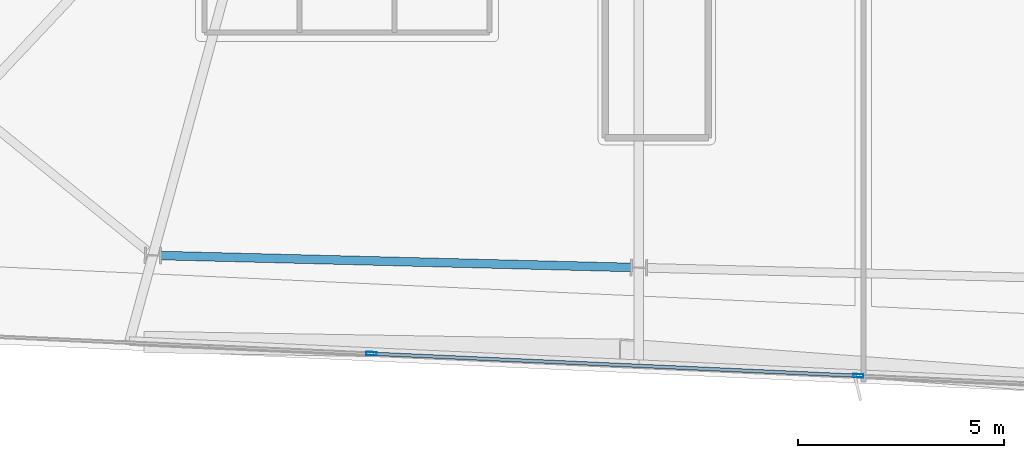
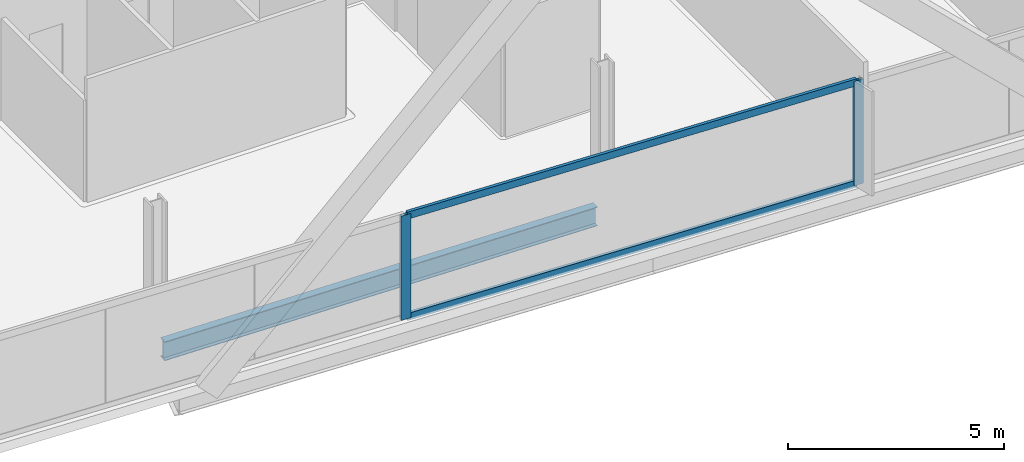
# One storey, part 4 of 26: 4 members, 1 beam, 1 element without a shape of its own.
"""IFC4 building model written with IfcOpenShell, lengths in metres."""

import ifcopenshell
import ifcopenshell.guid

model = None  # the IFC model being written
_history = None  # IfcOwnerHistory: only IFC2X3 demands one
_inside = {}  # id of a spatial element -> (the spatial element, [elements in it])
_under = {}  # id of a project, library or spatial element -> (it, [spatial elements below it])
_declared = {}  # id of a project -> (the project, [libraries it declares])
_typed = {}  # id of a type object -> (the type object, [elements of that type])
_made_of = {}  # id of a material, layer set ... -> (it, [elements and type objects made of it])


def new_model(schema):
    """Start an empty IFC model of exactly this schema.

    Asked for "IFC4X3", IfcOpenShell would pick the latest addendum, in which some entities
    have other attributes; the version numbers below select the first issue.
    IFC2X3 requires an IfcOwnerHistory on every rooted entity: one is made here for all.
    """
    global model, _history
    if schema == "IFC4X3":
        model = ifcopenshell.file(schema_version=(4, 3, 0, 0))
    else:
        model = ifcopenshell.file(schema=schema)
    _inside.clear()
    _under.clear()
    _declared.clear()
    _typed.clear()
    _made_of.clear()
    _history = None
    if model.schema == "IFC2X3":
        org = make("IfcOrganization", Name="unknown")
        user = make(
            "IfcPersonAndOrganization",
            ThePerson=make("IfcPerson", FamilyName="unknown"),
            TheOrganization=org,
        )
        app = make(
            "IfcApplication",
            ApplicationDeveloper=org,
            Version="unknown",
            ApplicationFullName="unknown",
            ApplicationIdentifier="unknown",
        )
        _history = make(
            "IfcOwnerHistory",
            OwningUser=user,
            OwningApplication=app,
            ChangeAction="ADDED",
            CreationDate=0,
        )
    return model


def make(cls, **values):
    """One entity of the class cls with the attributes given. An attribute that is None is left unset."""
    return model.create_entity(
        cls, **{name: value for name, value in values.items() if value is not None}
    )


def rooted(cls, **values):
    """An entity with a GlobalId (a new one), such as an element, a storey or a relation."""
    return make(cls, GlobalId=ifcopenshell.guid.new(), OwnerHistory=_history, **values)


def si_unit(unit_type, name, prefix=None):
    """IfcSIUnit, for example si_unit("LENGTHUNIT", "METRE", prefix="MILLI")."""
    return make("IfcSIUnit", UnitType=unit_type, Prefix=prefix, Name=name)


def assignment(units):
    """IfcUnitAssignment: the units of a project."""
    return None if units is None else make("IfcUnitAssignment", Units=units)


def point(xyz):
    """IfcCartesianPoint."""
    return None if xyz is None else make("IfcCartesianPoint", Coordinates=xyz)


def direction(xyz):
    """IfcDirection."""
    return None if xyz is None else make("IfcDirection", DirectionRatios=xyz)


def frame(location, z_axis=None, x_axis=None):
    """IfcAxis2Placement3D, a coordinate frame: its origin and axes. An axis left out is left unset."""
    return make(
        "IfcAxis2Placement3D",
        Location=point(location),
        Axis=direction(z_axis),
        RefDirection=direction(x_axis),
    )


def frame_2d(location, x_axis=None):
    """IfcAxis2Placement2D, a coordinate frame in the plane: its origin and x axis."""
    return make(
        "IfcAxis2Placement2D", Location=point(location), RefDirection=direction(x_axis)
    )


def origin():
    """The frame at (0, 0, 0) with its axes left unset."""
    return frame((0.0, 0.0, 0.0))


def origin_2d():
    """The frame at (0, 0) in the plane with its x axis left unset."""
    return frame_2d((0.0, 0.0))


def place(relative_to, where):
    """IfcLocalPlacement: puts the frame where relative to a parent placement (None: the world)."""
    return make(
        "IfcLocalPlacement", PlacementRelTo=relative_to, RelativePlacement=where
    )


def context(
    kind, dimensions, precision=None, world=None, true_north=None, identifier=None
):
    """IfcGeometricRepresentationContext, for example the 3D "Model" context."""
    return make(
        "IfcGeometricRepresentationContext",
        ContextIdentifier=identifier,
        ContextType=kind,
        CoordinateSpaceDimension=dimensions,
        Precision=precision,
        WorldCoordinateSystem=world,
        TrueNorth=true_north,
    )


def subcontext(parent, identifier, kind, view, scale=None):
    """IfcGeometricRepresentationSubContext, for example "Body" below "Model"."""
    return make(
        "IfcGeometricRepresentationSubContext",
        ContextIdentifier=identifier,
        ContextType=kind,
        ParentContext=parent,
        TargetScale=scale,
        TargetView=view,
    )


def project(units=None, contexts=None):
    """IfcProject with its units and contexts."""
    return rooted(
        "IfcProject",
        Name="project",
        RepresentationContexts=contexts,
        UnitsInContext=assignment(units),
    )


def spatial(cls, under=None, at=None, **own):
    """A site, building, storey or space (cls), placed at a placement, below another one or the project."""
    s = rooted(cls, ObjectPlacement=at, **own)
    if under is not None:
        _under.setdefault(under.id(), (under, []))[1].append(s)
    return s


def profile(cls, at=None, kind="AREA", **sizes):
    """A parametric profile (cls). Its sizes go by their IFC names, for example OverallWidth=200.0."""
    return make(cls, ProfileType=kind, Position=at, **sizes)


def hollow_rectangle(**sizes):
    """IfcRectangleHollowProfileDef."""
    return profile("IfcRectangleHollowProfileDef", **sizes)


def i_section(**sizes):
    """IfcIShapeProfileDef."""
    return profile("IfcIShapeProfileDef", **sizes)


def extrude(swept, where, along, depth):
    """IfcExtrudedAreaSolid: the profile swept, set in the frame where, extruded along a direction by depth."""
    return make(
        "IfcExtrudedAreaSolid",
        SweptArea=swept,
        Position=where,
        ExtrudedDirection=direction(along),
        Depth=depth,
    )


def shape(context_of_items, identifier, shape_type, items):
    """IfcShapeRepresentation: the items that make up one representation, for example the "Body"."""
    return make(
        "IfcShapeRepresentation",
        ContextOfItems=context_of_items,
        RepresentationIdentifier=identifier,
        RepresentationType=shape_type,
        Items=items,
    )


def material(Name=None, Category=None):
    """IfcMaterial."""
    return make("IfcMaterial", Name=Name, Category=Category)


def material_profile(
    of_material, cross_section, Name=None, Category=None, Priority=None
):
    """IfcMaterialProfile: a cross section and its material."""
    return make(
        "IfcMaterialProfile",
        Name=Name,
        Material=of_material,
        Profile=cross_section,
        Priority=Priority,
        Category=Category,
    )


def profile_set(profiles, Name=None, composite=None):
    """IfcMaterialProfileSet."""
    return make(
        "IfcMaterialProfileSet",
        Name=Name,
        MaterialProfiles=profiles,
        CompositeProfile=composite,
    )


def made_of(thing, what):
    """Note that an element or type object is made of a material, layer set ...; save() writes the relation."""
    if what is not None:
        _made_of.setdefault(what.id(), (what, []))[1].append(thing)
    return thing


def type_object(cls, material=None, **own):
    """A type object (cls), such as IfcWallType, which elements share."""
    return made_of(rooted(cls, **own), material)


def element(
    cls,
    number,
    at=None,
    inside=None,
    cuts=None,
    type_object=None,
    material=None,
    context=None,
    identifier="Body",
    shape_type=None,
    held_by="IfcProductDefinitionShape",
    body=None,
    shapes=None,
    **own,
):
    """One element of the class cls, such as IfcWall. Its Tag is "e" and its number.

    at: its placement. inside: the storey or other place that contains it. cuts: it is an
    opening in that element (IfcRelVoidsElement). A single representation is given by context,
    identifier, shape_type and body (its items); several are given by shapes. held_by: the class
    of the entity that holds the representations. save() writes the other relations.
    """
    e = rooted(cls, Tag="e%d" % number, ObjectPlacement=at, **own)
    if body is not None:
        shapes = [shape(context, identifier, shape_type, body)]
    if shapes is not None:
        e.Representation = make(held_by, Representations=shapes)
    if inside is not None:
        _inside.setdefault(inside.id(), (inside, []))[1].append(e)
    if cuts is not None:
        rooted(
            "IfcRelVoidsElement", RelatingBuildingElement=cuts, RelatedOpeningElement=e
        )
    if type_object is not None:
        _typed.setdefault(type_object.id(), (type_object, []))[1].append(e)
    return made_of(e, material)


def aggregate(whole, parts):
    """IfcRelAggregates: a whole, such as a stair, and the parts it consists of."""
    return rooted("IfcRelAggregates", RelatingObject=whole, RelatedObjects=parts)


def save(model, path):
    """Write the relations noted so far, then the file.

    IfcRelAggregates (storeys below a building ...), IfcRelContainedInSpatialStructure (elements
    in a storey), IfcRelDefinesByType, IfcRelAssociatesMaterial and IfcRelDeclares: one each for
    every whole, place, type object, material and project.
    """
    for whole, parts in _under.values():
        aggregate(whole, parts)
    for where, things in _inside.values():
        rooted(
            "IfcRelContainedInSpatialStructure",
            RelatedElements=things,
            RelatingStructure=where,
        )
    for kind, things in _typed.values():
        rooted("IfcRelDefinesByType", RelatedObjects=things, RelatingType=kind)
    for what, things in _made_of.values():
        rooted("IfcRelAssociatesMaterial", RelatedObjects=things, RelatingMaterial=what)
    for by, libraries in _declared.values():
        rooted("IfcRelDeclares", RelatingContext=by, RelatedDefinitions=libraries)
    model.write(path)


model = new_model("IFC4")

# Units and contexts
model_context = context("Model", 3, precision=1e-05, world=origin(), true_north=direction((0.0, 1.0)))
body_context = subcontext(model_context, "Body", "Model", "MODEL_VIEW")
ifc_project = project(units=[si_unit("LENGTHUNIT", "METRE"), si_unit("AREAUNIT", "SQUARE_METRE"), si_unit("VOLUMEUNIT", "CUBIC_METRE"), si_unit("PLANEANGLEUNIT", "RADIAN"), si_unit("MASSUNIT", "GRAM", prefix="KILO")], contexts=[model_context])

# Site, building, storey
site_placement = place(None, origin())
site = spatial("IfcSite", under=ifc_project, at=site_placement, CompositionType="ELEMENT")
building_placement = place(site_placement, origin())
building = spatial("IfcBuilding", under=site, at=building_placement, Name="Haldenkirk Collegiate Tower", CompositionType="ELEMENT")
storey_placement = place(building_placement, frame((0.0, 0.0, 321.449951171875)))
storey = spatial("IfcBuildingStorey", under=building, at=storey_placement, Name="L81", CompositionType="ELEMENT", Elevation=321.449951171875)

# Beam
ifc_material_1 = material(Name="Steel ASTM A992 Grade 50", Category="steel")
ifc_material_profile_1 = material_profile(ifc_material_1, i_section(OverallWidth=0.2099609375, OverallDepth=0.537109375, WebThickness=0.010986328125, FlangeThickness=0.017333984375, at=origin_2d()), Name="W21X68")
ifc_profile_set_1 = profile_set([ifc_material_profile_1], Name="Steel ASTM A992 Grade 50")
beam_type = type_object("IfcBeamType", Name="BM-SPANDREL-W21X68", PredefinedType="SPANDREL", material=ifc_profile_set_1)
beam_placement = place(storey_placement, frame((23.984375, 6.247802734375, -0.528564453125), z_axis=(0.99967950041, -0.02531593293, 0.0), x_axis=(0.02531593293, 0.99967950041, 0.0)))
element("IfcBeam", 1, at=beam_placement, inside=storey, type_object=beam_type, Name="L81 perimeter spandrel beam 14", PredefinedType="SPANDREL", context=body_context, shape_type="SweptSolid", body=[
    extrude(i_section(OverallWidth=0.2099609375, OverallDepth=0.537109375, WebThickness=0.010986328125, FlangeThickness=0.017333984375, at=origin_2d()), origin(), (0.0, 0.0, 1.0), 11.39892578125),
])

# Curtain wall, members
ifc_material_2 = material(Name="Anodised architectural bronze aluminium", Category="aluminium")
curtain_wall_type = type_object("IfcCurtainWallType", Name="CW-SYS1B-CONVEX-HI", PredefinedType="USERDEFINED", material=ifc_material_2)
curtain_wall_placement = place(storey_placement, origin())
curtain_wall = element("IfcCurtainWall", 2, at=curtain_wall_placement, inside=storey, type_object=curtain_wall_type, Name="L81 Upper tower high-wind convex bronze unitised curtain wall", ObjectType="UNITISED CURTAIN WALL", PredefinedType="USERDEFINED")
ifc_material_profile_2 = material_profile(ifc_material_2, hollow_rectangle(XDim=0.0849609375, YDim=0.25, WallThickness=0.0048828125, at=origin_2d()), Name="CW-MUL-1B")
ifc_profile_set_2 = profile_set([ifc_material_profile_2], Name="Anodised architectural bronze aluminium")
member_type_1 = type_object("IfcMemberType", Name="CW-MUL-1B", PredefinedType="MULLION", material=ifc_profile_set_2)
member_1_placement = place(storey_placement, frame((40.876953125, 3.33544921875, 0.0), z_axis=(0.0, 0.0, 1.0), x_axis=(-0.045364478326, -0.99897050212, 0.0)))
member_1 = element("IfcMember", 3, at=member_1_placement, type_object=member_type_1, Name="CW-1B mullion 2", PredefinedType="MULLION", context=body_context, shape_type="SweptSolid", body=[
    extrude(hollow_rectangle(XDim=0.0849609375, YDim=0.25, WallThickness=0.0048828125, at=origin_2d()), origin(), (0.0, 0.0, 1.0), 2.947998046875),
])
member_2_placement = place(storey_placement, frame((29.089111328125, 3.87060546875, 0.0), z_axis=(0.0, 0.0, 1.0), x_axis=(-0.045364478326, -0.99897050212, 0.0)))
member_2 = element("IfcMember", 4, at=member_2_placement, type_object=member_type_1, Name="CW-1B mullion 3", PredefinedType="MULLION", context=body_context, shape_type="SweptSolid", body=[
    extrude(hollow_rectangle(XDim=0.0849609375, YDim=0.25, WallThickness=0.0048828125, at=origin_2d()), origin(), (0.0, 0.0, 1.0), 2.947998046875),
])
ifc_material_profile_3 = material_profile(ifc_material_2, hollow_rectangle(XDim=0.0849609375, YDim=0.199951171875, WallThickness=0.0048828125, at=origin_2d()), Name="CW-TRN-1B")
ifc_profile_set_3 = profile_set([ifc_material_profile_3], Name="Anodised architectural bronze aluminium")
member_type_2 = type_object("IfcMemberType", Name="CW-TRN-1B", PredefinedType="USERDEFINED", material=ifc_profile_set_3)
member_3_placement = place(storey_placement, frame((40.83447265625, 3.33740234375, 0.04248046875), z_axis=(-0.998971245502, 0.045348105355, 0.0), x_axis=(-0.045348105355, -0.998971245502, 0.0)))
member_3 = element("IfcMember", 5, at=member_3_placement, type_object=member_type_2, Name="CW-1B transom 2.1", ObjectType="TRANSOM", PredefinedType="USERDEFINED", context=body_context, shape_type="SweptSolid", body=[
    extrude(hollow_rectangle(XDim=0.0849609375, YDim=0.199951171875, WallThickness=0.0048828125, at=origin_2d()), origin(), (0.0, 0.0, 1.0), 11.71484375),
])
member_4_placement = place(storey_placement, frame((40.83447265625, 3.33740234375, 2.905517578125), z_axis=(-0.998971245502, 0.045348105355, 0.0), x_axis=(-0.045348105355, -0.998971245502, 0.0)))
member_4 = element("IfcMember", 6, at=member_4_placement, type_object=member_type_2, Name="CW-1B transom 2.2", ObjectType="TRANSOM", PredefinedType="USERDEFINED", context=body_context, shape_type="SweptSolid", body=[
    extrude(hollow_rectangle(XDim=0.0849609375, YDim=0.199951171875, WallThickness=0.0048828125, at=origin_2d()), origin(), (0.0, 0.0, 1.0), 11.71484375),
])
aggregate(curtain_wall, [member_1, member_2, member_3, member_4])

save(model, "model.ifc")
